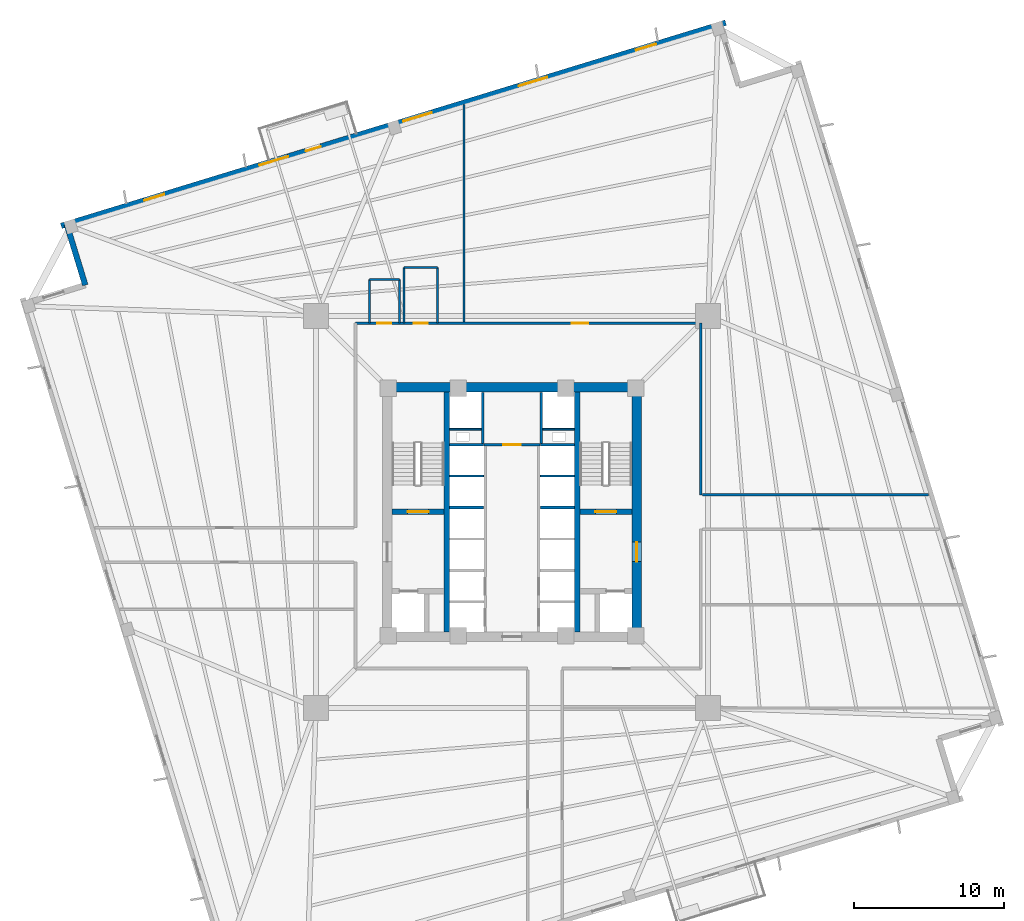
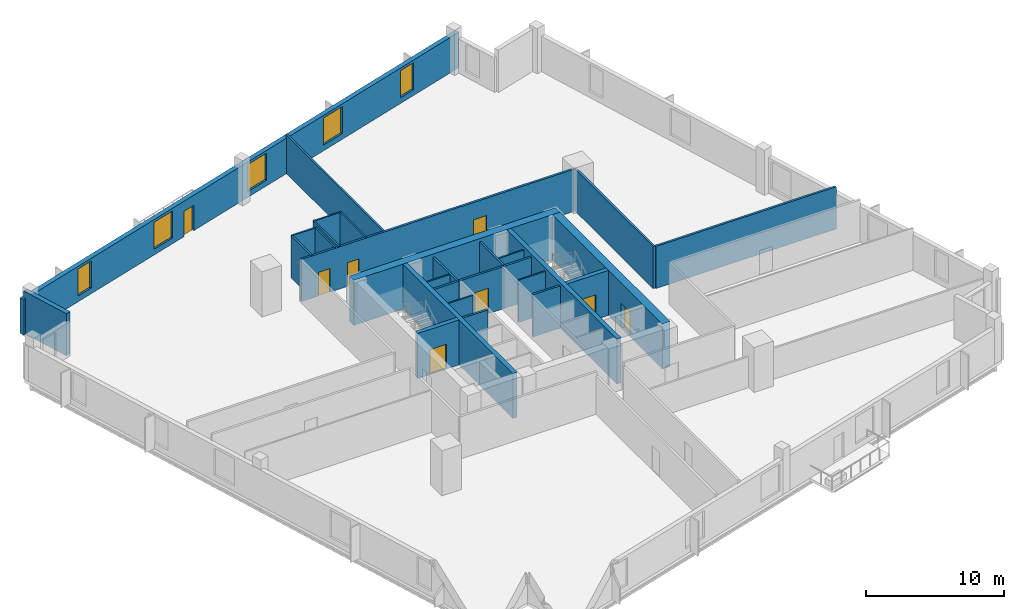
# One storey, part 4 of 8: 29 walls, 8 doors, 5 windows, 13 openings.
"""IFC4 building model written with IfcOpenShell, lengths in metres."""

from ifc_helpers import new_model, si_unit, direction, frame, frame_2d, origin, place, context, subcontext, project, spatial, rectangle, extrude, source, transform, mapped, material, layer, layer_set, type_object, element, fill, save


model = new_model("IFC4")

# Units and contexts
model_context = context("Model", 3, precision=1e-05, world=origin(), true_north=direction((0.0, 1.0)))
body_context = subcontext(model_context, "Body", "Model", "MODEL_VIEW")
ifc_project = project(units=[si_unit("LENGTHUNIT", "METRE"), si_unit("AREAUNIT", "SQUARE_METRE"), si_unit("VOLUMEUNIT", "CUBIC_METRE"), si_unit("PLANEANGLEUNIT", "RADIAN"), si_unit("MASSUNIT", "GRAM", prefix="KILO"), si_unit("THERMODYNAMICTEMPERATUREUNIT", "KELVIN")], contexts=[model_context])

# Site, building, storey
site_placement = place(None, origin())
site = spatial("IfcSite", under=ifc_project, at=site_placement, CompositionType="ELEMENT")
building_placement = place(site_placement, origin())
building = spatial("IfcBuilding", under=site, at=building_placement, Name="Kosmvard Interchange Tower", CompositionType="ELEMENT")
storey_placement = place(building_placement, frame((0.0, 0.0, 99.199951171875)))
storey = spatial("IfcBuildingStorey", under=building, at=storey_placement, Name="L23", CompositionType="ELEMENT", Elevation=99.199951171875)

# Walls
ifc_material_1 = material(Name="Acoustic gypsum partition system")
ifc_layer_1 = layer(ifc_material_1, 0.14990234375, Name="Acoustic gypsum partition system")
ifc_layer_set_1 = layer_set([ifc_layer_1], Name="Acoustic gypsum partition system")
wall_type_1 = type_object("IfcWallType", Name="Acoustic Suite & Meeting Partition 150", PredefinedType="PARTITIONING", material=ifc_layer_set_1)
wall_1_placement = place(storey_placement, frame((-3.199951171875, 12.695068359375, 0.0), z_axis=(0.0, 0.0, 1.0), x_axis=(0.0, 1.0, 0.0)))
element("IfcWall", 1, at=wall_1_placement, inside=storey, type_object=wall_type_1, Name="L23 Room Partition 01.1", PredefinedType="PARTITIONING", context=body_context, shape_type="SweptSolid", body=[
    extrude(rectangle(XDim=14.4921875, YDim=0.14990234375, at=frame_2d((7.24609375, 0.0))), origin(), (0.0, 0.0, 1.0), 3.41015625),
])
ifc_material_2 = material(Name="Fire-rated gypsum partition system")
ifc_layer_2 = layer(ifc_material_2, 0.159912109375, Name="Fire-rated gypsum partition system")
ifc_layer_set_2 = layer_set([ifc_layer_2], Name="Fire-rated gypsum partition system")
wall_type_2 = type_object("IfcWallType", Name="Core Compartment & Shuttle Lobby Partition 160", PredefinedType="PARTITIONING", material=ifc_layer_set_2)
for number, where, z_axis, x_axis, name in (
    (2, (-1.9599609375, 4.580078125, 0.0), (0.0, 0.0, 1.0), (0.0, 1.0, 0.0), "L23 North Core West Wall"),
    (3, (1.9599609375, 4.580078125, 0.0), (0.0, 0.0, 1.0), (0.0, 1.0, 0.0), "L23 North Core East Wall"),
):
    element("IfcWall", number, at=place(storey_placement, frame(where, z_axis=z_axis, x_axis=x_axis)), inside=storey, type_object=wall_type_2, Name=name, PredefinedType="PARTITIONING", context=body_context, shape_type="SweptSolid", body=[
        extrude(rectangle(XDim=3.39990234375, YDim=0.159912109375, at=frame_2d((1.699951171875, 0.0))), origin(), (0.0, 0.0, 1.0), 3.739990234375),
    ])

# Wall, opening, door
ifc_layer_3 = layer(ifc_material_2, 0.179931640625, Name="Fire-rated gypsum partition system")
ifc_layer_set_3 = layer_set([ifc_layer_3], Name="Fire-rated gypsum partition system")
wall_type_3 = type_object("IfcWallType", Name="Corridor & Hotel Compartment Partition 180", PredefinedType="PARTITIONING", material=ifc_layer_set_3)
wall_2_placement = place(storey_placement, frame((-1.8798828125, 4.489990234375, 0.0), z_axis=(0.0, 0.0, 1.0), x_axis=(1.0, 0.0, 0.0)))
wall_2 = element("IfcWall", 4, at=wall_2_placement, inside=storey, type_object=wall_type_3, Name="L23 Lift Lobby North Partition", PredefinedType="PARTITIONING", context=body_context, shape_type="SweptSolid", body=[
    extrude(rectangle(XDim=3.759765625, YDim=0.179931640625, at=frame_2d((1.8798828125, 0.0))), origin(), (0.0, 0.0, 1.0), 3.739990234375),
])
opening_1_placement = place(wall_2_placement, frame((1.304931640625, 0.0, 0.0)))
opening_1 = element("IfcOpeningElement", 5, at=opening_1_placement, cuts=wall_2, Name="Opening L23-KD1", PredefinedType="OPENING", context=body_context, shape_type="SweptSolid", body=[
    extrude(rectangle(XDim=1.14990234375, YDim=2.25, at=frame_2d((0.574951171875, 1.125))), frame((0.0, 0.10009765625, 0.0), z_axis=(0.0, -1.0, 0.0), x_axis=(1.0, 0.0, 0.0)), (0.0, 0.0, 1.0), 0.199951171875),
])
ifc_material_3 = material(Name="Painted fire-rated steel leaf", Category="steel")
door_type_1 = type_object("IfcDoorType", Name="Plant & Riser Fire Door 1150x2250 EI60", OperationType="NOTDEFINED", PredefinedType="DOOR", material=ifc_material_3)
shared_shape_1 = source(origin(), body_context, "Body", "SweptSolid", [
    extrude(rectangle(XDim=1.14990234375, YDim=2.25, at=frame_2d((0.574951171875, 1.125))), frame((0.0, 0.02490234375, 0.0), z_axis=(0.0, -1.0, 0.0), x_axis=(1.0, 0.0, 0.0)), (0.0, 0.0, 1.0), 0.050048828125),
])
door_1_placement = place(opening_1_placement, origin())
door_1 = element("IfcDoor", 6, at=door_1_placement, inside=storey, type_object=door_type_1, Name="L23 Core IT Room Door", OperationType="SINGLE_SWING_LEFT", OverallHeight=2.25, OverallWidth=1.14990234375, PredefinedType="DOOR", context=body_context, shape_type="MappedRepresentation", body=[
    mapped(shared_shape_1, transform((0.0, 0.0, 0.0), scale=1.0)),
])
fill(opening_1, door_1)

# Wall, openings, doors
wall_3_placement = place(storey_placement, frame((-10.449951171875, 12.60009765625, 0.0), z_axis=(0.0, 0.0, 1.0), x_axis=(1.0, 0.0, 0.0)))
wall_3 = element("IfcWall", 7, at=wall_3_placement, inside=storey, type_object=wall_type_3, Name="L23 Corridor Wall CN", PredefinedType="PARTITIONING", context=body_context, shape_type="SweptSolid", body=[
    extrude(rectangle(XDim=23.050048828125, YDim=0.179931640625, at=frame_2d((11.52490234375, 0.0))), origin(), (0.0, 0.0, 1.0), 3.739990234375),
])
opening_2_placement = place(wall_3_placement, frame((1.455078125, 0.0, 0.0)))
opening_2 = element("IfcOpeningElement", 8, at=opening_2_placement, cuts=wall_3, Name="Opening L23-D01", PredefinedType="OPENING", context=body_context, shape_type="SweptSolid", body=[
    extrude(rectangle(XDim=0.949951171875, YDim=2.10009765625, at=frame_2d((0.47509765625, 1.050048828125))), frame((0.0, 0.10009765625, 0.0), z_axis=(0.0, -1.0, 0.0), x_axis=(1.0, 0.0, 0.0)), (0.0, 0.0, 1.0), 0.199951171875),
])
opening_3_placement = place(wall_3_placement, frame((3.879150390625, 0.0, 0.0)))
opening_3 = element("IfcOpeningElement", 9, at=opening_3_placement, cuts=wall_3, Name="Opening L23-D02", PredefinedType="OPENING", context=body_context, shape_type="SweptSolid", body=[
    extrude(rectangle(XDim=0.949951171875, YDim=2.10009765625, at=frame_2d((0.47509765625, 1.050048828125))), frame((0.0, 0.10009765625, 0.0), z_axis=(0.0, -1.0, 0.0), x_axis=(1.0, 0.0, 0.0)), (0.0, 0.0, 1.0), 0.199951171875),
])
opening_4_placement = place(wall_3_placement, frame((14.435546875, 0.0, 0.0)))
opening_4 = element("IfcOpeningElement", 10, at=opening_4_placement, cuts=wall_3, Name="Opening L23-D04", PredefinedType="OPENING", context=body_context, shape_type="SweptSolid", body=[
    extrude(rectangle(XDim=1.10009765625, YDim=2.199951171875, at=frame_2d((0.550048828125, 1.10009765625))), frame((0.0, 0.10009765625, 0.0), z_axis=(0.0, -1.0, 0.0), x_axis=(1.0, 0.0, 0.0)), (0.0, 0.0, 1.0), 0.199951171875),
])
ifc_material_4 = material(Name="Laminated moisture-resistant timber", Category="wood")
door_type_2 = type_object("IfcDoorType", Name="Accessible Washroom Door 950x2100", OperationType="NOTDEFINED", PredefinedType="DOOR", material=ifc_material_4)
shared_shape_2 = source(origin(), body_context, "Body", "SweptSolid", [
    extrude(rectangle(XDim=0.949951171875, YDim=2.10009765625, at=frame_2d((0.47509765625, 1.050048828125))), frame((0.0, 0.02490234375, 0.0), z_axis=(0.0, -1.0, 0.0), x_axis=(1.0, 0.0, 0.0)), (0.0, 0.0, 1.0), 0.050048828125),
])
door_2_placement = place(opening_2_placement, origin())
door_2 = element("IfcDoor", 11, at=door_2_placement, inside=storey, type_object=door_type_2, Name="L23 Accessible Toilet Door", OperationType="SINGLE_SWING_LEFT", OverallHeight=2.10009765625, OverallWidth=0.949951171875, PredefinedType="DOOR", context=body_context, shape_type="MappedRepresentation", body=[
    mapped(shared_shape_2, transform((0.0, 0.0, 0.0), scale=1.0)),
])
fill(opening_2, door_2)
door_3_placement = place(opening_3_placement, origin())
door_3 = element("IfcDoor", 12, at=door_3_placement, inside=storey, type_object=door_type_2, Name="L23 Public Floor Washroom Door", OperationType="SINGLE_SWING_RIGHT", OverallHeight=2.10009765625, OverallWidth=0.949951171875, PredefinedType="DOOR", context=body_context, shape_type="MappedRepresentation", body=[
    mapped(shared_shape_2, transform((0.0, 0.0, 0.0), scale=1.0)),
])
fill(opening_3, door_3)
ifc_material_5 = material(Name="Engineered oak fire-rated timber", Category="wood")
door_type_3 = type_object("IfcDoorType", Name="Office Suite Entrance Door 1100x2200 FD30S", OperationType="NOTDEFINED", PredefinedType="DOOR", material=ifc_material_5)
shared_shape_3 = source(origin(), body_context, "Body", "SweptSolid", [
    extrude(rectangle(XDim=1.10009765625, YDim=2.199951171875, at=frame_2d((0.550048828125, 1.10009765625))), frame((0.0, 0.02490234375, 0.0), z_axis=(0.0, -1.0, 0.0), x_axis=(1.0, 0.0, 0.0)), (0.0, 0.0, 1.0), 0.050048828125),
])
door_4_placement = place(opening_4_placement, origin())
door_4 = element("IfcDoor", 13, at=door_4_placement, inside=storey, type_object=door_type_3, Name="L23 Corporate Media Club Door", OperationType="SINGLE_SWING_RIGHT", OverallHeight=2.199951171875, OverallWidth=1.10009765625, PredefinedType="DOOR", context=body_context, shape_type="MappedRepresentation", body=[
    mapped(shared_shape_3, transform((0.0, 0.0, 0.0), scale=1.0)),
])
fill(opening_4, door_4)

# Walls
wall_4_placement = place(storey_placement, frame((12.60009765625, 1.14990234375, 0.0), z_axis=(0.0, 0.0, 1.0), x_axis=(0.0, 1.0, 0.0)))
element("IfcWall", 14, at=wall_4_placement, inside=storey, type_object=wall_type_3, Name="L23 Corridor Wall CEN", PredefinedType="PARTITIONING", context=body_context, shape_type="SweptSolid", body=[
    extrude(rectangle(XDim=11.4501953125, YDim=0.179931640625, at=frame_2d((5.72509765625, 0.0))), origin(), (0.0, 0.0, 1.0), 3.739990234375),
])
wall_5_placement = place(storey_placement, frame((12.699951171875, 1.14990234375, 0.0), z_axis=(0.0, 0.0, 1.0), x_axis=(1.0, 0.0, 0.0)))
element("IfcWall", 15, at=wall_5_placement, inside=storey, type_object=wall_type_3, Name="L23 Corridor Wall SEN", PredefinedType="PARTITIONING", context=body_context, shape_type="SweptSolid", body=[
    extrude(rectangle(XDim=15.1142578125, YDim=0.179931640625, at=frame_2d((7.55712890625, 0.0))), origin(), (0.0, 0.0, 1.0), 3.739990234375),
])

# Wall, openings, door, windows
ifc_material_6 = material(Name="Precast concrete C45/55", Category="concrete")
ifc_layer_4 = layer(ifc_material_6, 0.3798828125, Name="Precast concrete C45/55")
ifc_layer_set_4 = layer_set([ifc_layer_4], Name="Precast concrete C45/55")
wall_type_4 = type_object("IfcWallType", Name="Lower Tower Precast Pier Wall 380 C45/55", PredefinedType="STANDARD", material=ifc_layer_set_4)
wall_6_placement = place(storey_placement, frame((14.26513671875, 32.65771484375, 0.0), z_axis=(0.0, 0.0, 1.0), x_axis=(-0.956304320851, -0.292373127906, 0.0)))
wall_6 = element("IfcWall", 16, at=wall_6_placement, inside=storey, type_object=wall_type_4, Name="L23 Precast Facade Wall F-N", PredefinedType="STANDARD", context=body_context, shape_type="SweptSolid", body=[
    extrude(rectangle(XDim=46.380126953125, YDim=0.3798828125, at=frame_2d((23.18994140625, 0.0))), origin(), (0.0, 0.0, 1.0), 3.14013671875),
])
opening_5_placement = place(wall_6_placement, frame((28.264892578125, 0.0, 0.0)))
opening_5 = element("IfcOpeningElement", 17, at=opening_5_placement, cuts=wall_6, Name="Opening L23-BDE", PredefinedType="OPENING", context=body_context, shape_type="SweptSolid", body=[
    extrude(rectangle(XDim=1.050048828125, YDim=2.25, at=frame_2d((0.52490234375, 1.125))), frame((0.0, 0.199951171875, 0.0), z_axis=(0.0, -1.0, 0.0), x_axis=(1.0, 0.0, 0.0)), (0.0, 0.0, 1.0), 0.39990234375),
])
opening_6_placement = place(wall_6_placement, frame((4.865478515625, 0.0, 0.510009765625)))
opening_6 = element("IfcOpeningElement", 18, at=opening_6_placement, cuts=wall_6, Name="Opening L23-W11", PredefinedType="OPENING", context=body_context, shape_type="SweptSolid", body=[
    extrude(rectangle(XDim=1.39990234375, YDim=2.39990234375, at=frame_2d((0.699951171875, 1.199951171875))), frame((0.0, 0.199951171875, 0.0), z_axis=(0.0, -1.0, 0.0), x_axis=(1.0, 0.0, 0.0)), (0.0, 0.0, 1.0), 0.39990234375),
])
opening_7_placement = place(wall_6_placement, frame((12.4501953125, 0.0, 0.510009765625)))
opening_7 = element("IfcOpeningElement", 19, at=opening_7_placement, cuts=wall_6, Name="Opening L23-W12", PredefinedType="OPENING", context=body_context, shape_type="SweptSolid", body=[
    extrude(rectangle(XDim=2.0, YDim=2.39990234375, at=frame_2d((1.0, 1.199951171875))), frame((0.0, 0.199951171875, 0.0), z_axis=(0.0, -1.0, 0.0), x_axis=(1.0, 0.0, 0.0)), (0.0, 0.0, 1.0), 0.39990234375),
])
opening_8_placement = place(wall_6_placement, frame((20.512451171875, 0.0, 0.510009765625)))
opening_8 = element("IfcOpeningElement", 20, at=opening_8_placement, cuts=wall_6, Name="Opening L23-W13", PredefinedType="OPENING", context=body_context, shape_type="SweptSolid", body=[
    extrude(rectangle(XDim=2.0, YDim=2.39990234375, at=frame_2d((1.0, 1.199951171875))), frame((0.0, 0.199951171875, 0.0), z_axis=(0.0, -1.0, 0.0), x_axis=(1.0, 0.0, 0.0)), (0.0, 0.0, 1.0), 0.39990234375),
])
opening_9_placement = place(wall_6_placement, frame((30.538330078125, 0.0, 0.510009765625)))
opening_9 = element("IfcOpeningElement", 21, at=opening_9_placement, cuts=wall_6, Name="Opening L23-W14", PredefinedType="OPENING", context=body_context, shape_type="SweptSolid", body=[
    extrude(rectangle(XDim=2.0, YDim=2.39990234375, at=frame_2d((1.0, 1.199951171875))), frame((0.0, 0.199951171875, 0.0), z_axis=(0.0, -1.0, 0.0), x_axis=(1.0, 0.0, 0.0)), (0.0, 0.0, 1.0), 0.39990234375),
])
opening_10_placement = place(wall_6_placement, frame((39.186767578125, 0.0, 0.510009765625)))
opening_10 = element("IfcOpeningElement", 22, at=opening_10_placement, cuts=wall_6, Name="Opening L23-W15", PredefinedType="OPENING", context=body_context, shape_type="SweptSolid", body=[
    extrude(rectangle(XDim=1.39990234375, YDim=2.39990234375, at=frame_2d((0.699951171875, 1.199951171875))), frame((0.0, 0.199951171875, 0.0), z_axis=(0.0, -1.0, 0.0), x_axis=(1.0, 0.0, 0.0)), (0.0, 0.0, 1.0), 0.39990234375),
])
ifc_material_7 = material(Name="Anodised aluminium and safety glass", Category="aluminium")
door_type_4 = type_object("IfcDoorType", Name="Tree-Balcony Glazed Door 1050x2250", OperationType="NOTDEFINED", PredefinedType="DOOR", material=ifc_material_7)
shared_shape_4 = source(origin(), body_context, "Body", "SweptSolid", [
    extrude(rectangle(XDim=1.050048828125, YDim=2.25, at=frame_2d((0.52490234375, 1.125))), frame((0.0, 0.02490234375, 0.0), z_axis=(0.0, -1.0, 0.0), x_axis=(1.0, 0.0, 0.0)), (0.0, 0.0, 1.0), 0.050048828125),
])
door_5_placement = place(opening_5_placement, origin())
door_5 = element("IfcDoor", 23, at=door_5_placement, inside=storey, type_object=door_type_4, Name="L23 Tree-Balcony Door BAL-L23-NE", OperationType="SINGLE_SWING_RIGHT", OverallHeight=2.25, OverallWidth=1.050048828125, PredefinedType="DOOR", context=body_context, shape_type="MappedRepresentation", body=[
    mapped(shared_shape_4, transform((0.0, 0.0, 0.0), scale=1.0)),
])
fill(opening_5, door_5)
ifc_material_8 = material(Name="Low-E solar-control double glazing", Category="glass")
window_type_1 = type_object("IfcWindowType", Name="Notched Corner Feature Window 1400x2400", PartitioningType="SINGLE_PANEL", PredefinedType="WINDOW", material=ifc_material_8)
shared_shape_5 = source(origin(), body_context, "Body", "SweptSolid", [
    extrude(rectangle(XDim=1.39990234375, YDim=2.39990234375, at=frame_2d((0.699951171875, 1.199951171875))), frame((0.0, 0.030029296875, 0.0), z_axis=(0.0, -1.0, 0.0), x_axis=(1.0, 0.0, 0.0)), (0.0, 0.0, 1.0), 0.06005859375),
])
window_1_placement = place(opening_6_placement, origin())
window_1 = element("IfcWindow", 24, at=window_1_placement, inside=storey, type_object=window_type_1, Name="L23 Facade Punched Window 11", OverallHeight=2.39990234375, OverallWidth=1.39990234375, PartitioningType="SINGLE_PANEL", PredefinedType="WINDOW", context=body_context, shape_type="MappedRepresentation", body=[
    mapped(shared_shape_5, transform((0.0, 0.0, 0.0), scale=1.0)),
])
fill(opening_6, window_1)
window_2_placement = place(opening_10_placement, origin())
window_2 = element("IfcWindow", 25, at=window_2_placement, inside=storey, type_object=window_type_1, Name="L23 Facade Punched Window 15", OverallHeight=2.39990234375, OverallWidth=1.39990234375, PartitioningType="SINGLE_PANEL", PredefinedType="WINDOW", context=body_context, shape_type="MappedRepresentation", body=[
    mapped(shared_shape_5, transform((0.0, 0.0, 0.0), scale=1.0)),
])
fill(opening_10, window_2)
window_type_2 = type_object("IfcWindowType", Name="Zone 2 Office Punched Window 2000x2400", PartitioningType="SINGLE_PANEL", PredefinedType="WINDOW", material=ifc_material_8)
shared_shape_6 = source(origin(), body_context, "Body", "SweptSolid", [
    extrude(rectangle(XDim=2.0, YDim=2.39990234375, at=frame_2d((1.0, 1.199951171875))), frame((0.0, 0.030029296875, 0.0), z_axis=(0.0, -1.0, 0.0), x_axis=(1.0, 0.0, 0.0)), (0.0, 0.0, 1.0), 0.06005859375),
])
window_3_placement = place(opening_7_placement, origin())
window_3 = element("IfcWindow", 26, at=window_3_placement, inside=storey, type_object=window_type_2, Name="L23 Facade Punched Window 12", OverallHeight=2.39990234375, OverallWidth=2.0, PartitioningType="SINGLE_PANEL", PredefinedType="WINDOW", context=body_context, shape_type="MappedRepresentation", body=[
    mapped(shared_shape_6, transform((0.0, 0.0, 0.0), scale=1.0)),
])
fill(opening_7, window_3)
window_4_placement = place(opening_8_placement, origin())
window_4 = element("IfcWindow", 27, at=window_4_placement, inside=storey, type_object=window_type_2, Name="L23 Facade Punched Window 13", OverallHeight=2.39990234375, OverallWidth=2.0, PartitioningType="SINGLE_PANEL", PredefinedType="WINDOW", context=body_context, shape_type="MappedRepresentation", body=[
    mapped(shared_shape_6, transform((0.0, 0.0, 0.0), scale=1.0)),
])
fill(opening_8, window_4)
window_5_placement = place(opening_9_placement, origin())
window_5 = element("IfcWindow", 28, at=window_5_placement, inside=storey, type_object=window_type_2, Name="L23 Facade Punched Window 14", OverallHeight=2.39990234375, OverallWidth=2.0, PartitioningType="SINGLE_PANEL", PredefinedType="WINDOW", context=body_context, shape_type="MappedRepresentation", body=[
    mapped(shared_shape_6, transform((0.0, 0.0, 0.0), scale=1.0)),
])
fill(opening_9, window_5)

# Walls
wall_7_placement = place(storey_placement, frame((-29.724853515625, 19.20849609375, 0.0), z_axis=(0.0, 0.0, 1.0), x_axis=(0.292345507338, -0.956312764915, 0.0)))
element("IfcWall", 29, at=wall_7_placement, inside=storey, type_object=wall_type_4, Name="L23 Precast Facade Wall N-NW1", PredefinedType="STANDARD", context=body_context, shape_type="SweptSolid", body=[
    extrude(rectangle(XDim=4.249755859375, YDim=0.3798828125, at=frame_2d((2.125, 0.0))), origin(), (0.0, 0.0, 1.0), 3.739990234375),
])
ifc_material_9 = material(Name="Concrete C70/85", Category="concrete")
ifc_layer_5 = layer(ifc_material_9, 0.64990234375, Name="Concrete C70/85")
ifc_layer_set_5 = layer_set([ifc_layer_5], Name="Concrete C70/85")
wall_type_5 = type_object("IfcWallType", Name="Mid Core Shear Wall 650 C70/85", PredefinedType="SHEAR", material=ifc_layer_set_5)
wall_8_placement = place(storey_placement, frame((-8.64990234375, 8.324951171875, 0.0), z_axis=(0.0, 0.0, 1.0), x_axis=(1.0, 0.0, 0.0)))
element("IfcWall", 30, at=wall_8_placement, inside=storey, type_object=wall_type_5, Name="L23 Core Shear Wall CW-N", PredefinedType="SHEAR", context=body_context, shape_type="SweptSolid", body=[
    extrude(rectangle(XDim=17.2998046875, YDim=0.64990234375, at=frame_2d((8.64990234375, 0.0))), origin(), (0.0, 0.0, 1.0), 4.0),
])

# Wall, opening, door
wall_9_placement = place(storey_placement, frame((8.324951171875, -8.0, 0.0), z_axis=(0.0, 0.0, 1.0), x_axis=(0.0, 1.0, 0.0)))
wall_9 = element("IfcWall", 31, at=wall_9_placement, inside=storey, type_object=wall_type_5, Name="L23 Core Shear Wall CW-E", PredefinedType="SHEAR", context=body_context, shape_type="SweptSolid", body=[
    extrude(rectangle(XDim=16.0, YDim=0.64990234375, at=frame_2d((8.0, 0.0))), origin(), (0.0, 0.0, 1.0), 4.0),
])
opening_11_placement = place(wall_9_placement, frame((4.68994140625, 0.0, 0.0)))
opening_11 = element("IfcOpeningElement", 32, at=opening_11_placement, cuts=wall_9, Name="Opening L23-FD2", PredefinedType="OPENING", context=body_context, shape_type="SweptSolid", body=[
    extrude(rectangle(XDim=1.300048828125, YDim=2.199951171875, at=frame_2d((0.64990234375, 1.10009765625))), frame((0.0, 0.3349609375, 0.0), z_axis=(0.0, -1.0, 0.0), x_axis=(1.0, 0.0, 0.0)), (0.0, 0.0, 1.0), 0.669921875),
])
door_type_5 = type_object("IfcDoorType", Name="Firefighting Lobby Door 1300x2200 EI60", OperationType="NOTDEFINED", PredefinedType="DOOR", material=ifc_material_3)
shared_shape_7 = source(origin(), body_context, "Body", "SweptSolid", [
    extrude(rectangle(XDim=1.300048828125, YDim=2.199951171875, at=frame_2d((0.64990234375, 1.10009765625))), frame((0.0, 0.02490234375, 0.0), z_axis=(0.0, -1.0, 0.0), x_axis=(1.0, 0.0, 0.0)), (0.0, 0.0, 1.0), 0.050048828125),
])
door_6_placement = place(opening_11_placement, origin())
door_6 = element("IfcDoor", 33, at=door_6_placement, inside=storey, type_object=door_type_5, Name="L23 Firefighting Lobby East Door", OperationType="SINGLE_SWING_RIGHT", OverallHeight=2.199951171875, OverallWidth=1.300048828125, PredefinedType="DOOR", context=body_context, shape_type="MappedRepresentation", body=[
    mapped(shared_shape_7, transform((0.0, 0.0, 0.0), scale=1.0)),
])
fill(opening_11, door_6)

# Walls
ifc_material_10 = material(Name="Concrete blockwork masonry", Category="masonry")
ifc_layer_6 = layer(ifc_material_10, 0.179931640625, Name="Concrete blockwork masonry")
ifc_layer_set_6 = layer_set([ifc_layer_6], Name="Concrete blockwork masonry")
wall_type_6 = type_object("IfcWallType", Name="Riser & Lift Bank Divider Wall 180", PredefinedType="PARTITIONING", material=ifc_layer_set_6)
for number, where, z_axis, x_axis, name in (
    (34, (-4.169921875, 0.300048828125, 0.0), (0.0, 0.0, 1.0), (1.0, 0.0, 0.0), "L23 West Bank Divider BD2"),
    (35, (1.889892578125, 0.300048828125, 0.0), (0.0, 0.0, 1.0), (1.0, 0.0, 0.0), "L23 East Bank Divider BD2"),
    (36, (-4.169921875, 4.489990234375, 0.0), (0.0, 0.0, 1.0), (1.0, 0.0, 0.0), "L23 West Bank Divider BD3"),
    (37, (1.889892578125, 4.489990234375, 0.0), (0.0, 0.0, 1.0), (1.0, 0.0, 0.0), "L23 East Bank Divider BD3"),
):
    element("IfcWall", number, at=place(storey_placement, frame(where, z_axis=z_axis, x_axis=x_axis)), inside=storey, type_object=wall_type_6, Name=name, PredefinedType="PARTITIONING", context=body_context, shape_type="SweptSolid", body=[
        extrude(rectangle(XDim=2.280029296875, YDim=0.179931640625, at=frame_2d((1.14013671875, 0.0))), origin(), (0.0, 0.0, 1.0), 3.739990234375),
    ])
ifc_material_11 = material(Name="Fire-rated gypsum shaftwall system")
ifc_layer_7 = layer(ifc_material_11, 0.1201171875, Name="Fire-rated gypsum shaftwall system")
ifc_layer_set_7 = layer_set([ifc_layer_7], Name="Fire-rated gypsum shaftwall system")
wall_type_7 = type_object("IfcWallType", Name="Shaft & Riser Fire Partition 120 EI60", PredefinedType="PARTITIONING", material=ifc_layer_set_7)
for number, where, z_axis, x_axis, name in (
    (38, (-4.159912109375, 2.39990234375, 0.0), (0.0, 0.0, 1.0), (1.0, 0.0, 0.0), "L23 Shaft Divider PL-H1"),
    (39, (1.89990234375, 2.39990234375, 0.0), (0.0, 0.0, 1.0), (1.0, 0.0, 0.0), "L23 Shaft Divider PL-H3"),
):
    element("IfcWall", number, at=place(storey_placement, frame(where, z_axis=z_axis, x_axis=x_axis)), inside=storey, type_object=wall_type_7, Name=name, PredefinedType="PARTITIONING", context=body_context, shape_type="SweptSolid", body=[
        extrude(rectangle(XDim=2.260009765625, YDim=0.1201171875, at=frame_2d((1.1298828125, 0.0))), origin(), (0.0, 0.0, 1.0), 3.739990234375),
    ])
for number, where, z_axis, x_axis, name in (
    (40, (-4.159912109375, 5.52001953125, 0.0), (0.0, 0.0, 1.0), (1.0, 0.0, 0.0), "L23 Riser Shaft Divider W"),
    (41, (2.06005859375, 5.52001953125, 0.0), (0.0, 0.0, 1.0), (1.0, 0.0, 0.0), "L23 Riser Shaft Divider E"),
):
    element("IfcWall", number, at=place(storey_placement, frame(where, z_axis=z_axis, x_axis=x_axis)), inside=storey, type_object=wall_type_7, Name=name, PredefinedType="PARTITIONING", context=body_context, shape_type="SweptSolid", body=[
        extrude(rectangle(XDim=2.099853515625, YDim=0.1201171875, at=frame_2d((1.0498046875, 0.0))), origin(), (0.0, 0.0, 1.0), 3.739990234375),
    ])
ifc_material_12 = material(Name="Concrete C60/75", Category="concrete")
ifc_layer_8 = layer(ifc_material_12, 0.360107421875, Name="Concrete C60/75")
ifc_layer_set_8 = layer_set([ifc_layer_8], Name="Concrete C60/75")
wall_type_8 = type_object("IfcWallType", Name="Stair & Lift Shaft Shear Wall 360 C60/75", PredefinedType="SHEAR", material=ifc_layer_set_8)
for number, where, z_axis, x_axis, name in (
    (42, (-4.360107421875, -8.0, 0.0), (0.0, 0.0, 1.0), (0.0, 1.0, 0.0), "L23 Shaft Shear Wall SW-W"),
    (43, (4.360107421875, -8.0, 0.0), (0.0, 0.0, 1.0), (0.0, 1.0, 0.0), "L23 Shaft Shear Wall SW-E"),
):
    element("IfcWall", number, at=place(storey_placement, frame(where, z_axis=z_axis, x_axis=x_axis)), inside=storey, type_object=wall_type_8, Name=name, PredefinedType="SHEAR", context=body_context, shape_type="SweptSolid", body=[
        extrude(rectangle(XDim=16.0, YDim=0.360107421875, at=frame_2d((8.0, 0.0))), origin(), (0.0, 0.0, 1.0), 4.0),
    ])

# Wall, opening, door
wall_10_placement = place(storey_placement, frame((-8.0, 0.02001953125, 0.0), z_axis=(0.0, 0.0, 1.0), x_axis=(1.0, 0.0, 0.0)))
wall_10 = element("IfcWall", 44, at=wall_10_placement, inside=storey, type_object=wall_type_8, Name="L23 Shaft Shear Wall SW-ST1", PredefinedType="SHEAR", context=body_context, shape_type="SweptSolid", body=[
    extrude(rectangle(XDim=3.4599609375, YDim=0.360107421875, at=frame_2d((1.72998046875, 0.0))), origin(), (0.0, 0.0, 1.0), 4.0),
])
opening_12_placement = place(wall_10_placement, frame((1.030029296875, 0.0, 0.0)))
opening_12 = element("IfcOpeningElement", 45, at=opening_12_placement, cuts=wall_10, Name="Opening L23-SD1", PredefinedType="OPENING", context=body_context, shape_type="SweptSolid", body=[
    extrude(rectangle(XDim=1.39990234375, YDim=2.199951171875, at=frame_2d((0.699951171875, 1.10009765625))), frame((0.0, 0.18994140625, 0.0), z_axis=(0.0, -1.0, 0.0), x_axis=(1.0, 0.0, 0.0)), (0.0, 0.0, 1.0), 0.380126953125),
])
door_type_6 = type_object("IfcDoorType", Name="Protected Stair Door 1400x2200 FD60S", OperationType="NOTDEFINED", PredefinedType="DOOR", material=ifc_material_3)
shared_shape_8 = source(origin(), body_context, "Body", "SweptSolid", [
    extrude(rectangle(XDim=1.39990234375, YDim=2.199951171875, at=frame_2d((0.699951171875, 1.10009765625))), frame((0.0, 0.02490234375, 0.0), z_axis=(0.0, -1.0, 0.0), x_axis=(1.0, 0.0, 0.0)), (0.0, 0.0, 1.0), 0.050048828125),
])
door_7_placement = place(opening_12_placement, origin())
door_7 = element("IfcDoor", 46, at=door_7_placement, inside=storey, type_object=door_type_6, Name="L23 Stair ST-1 Enclosure Door", OperationType="SINGLE_SWING_LEFT", OverallHeight=2.199951171875, OverallWidth=1.39990234375, PredefinedType="DOOR", context=body_context, shape_type="MappedRepresentation", body=[
    mapped(shared_shape_8, transform((0.0, 0.0, 0.0), scale=1.0)),
])
fill(opening_12, door_7)

wall_11_placement = place(storey_placement, frame((4.5400390625, 0.02001953125, 0.0), z_axis=(0.0, 0.0, 1.0), x_axis=(1.0, 0.0, 0.0)))
wall_11 = element("IfcWall", 47, at=wall_11_placement, inside=storey, type_object=wall_type_8, Name="L23 Shaft Shear Wall SW-ST2", PredefinedType="SHEAR", context=body_context, shape_type="SweptSolid", body=[
    extrude(rectangle(XDim=3.4599609375, YDim=0.360107421875, at=frame_2d((1.72998046875, 0.0))), origin(), (0.0, 0.0, 1.0), 4.0),
])
opening_13_placement = place(wall_11_placement, frame((1.030029296875, 0.0, 0.0)))
opening_13 = element("IfcOpeningElement", 48, at=opening_13_placement, cuts=wall_11, Name="Opening L23-SD2", PredefinedType="OPENING", context=body_context, shape_type="SweptSolid", body=[
    extrude(rectangle(XDim=1.39990234375, YDim=2.199951171875, at=frame_2d((0.699951171875, 1.10009765625))), frame((0.0, 0.18994140625, 0.0), z_axis=(0.0, -1.0, 0.0), x_axis=(1.0, 0.0, 0.0)), (0.0, 0.0, 1.0), 0.380126953125),
])
door_8_placement = place(opening_13_placement, origin())
door_8 = element("IfcDoor", 49, at=door_8_placement, inside=storey, type_object=door_type_6, Name="L23 Stair ST-2 Enclosure Door", OperationType="SINGLE_SWING_RIGHT", OverallHeight=2.199951171875, OverallWidth=1.39990234375, PredefinedType="DOOR", context=body_context, shape_type="MappedRepresentation", body=[
    mapped(shared_shape_8, transform((0.0, 0.0, 0.0), scale=1.0)),
])
fill(opening_13, door_8)

# Walls
ifc_material_13 = material(Name="Moisture-resistant gypsum partition")
ifc_layer_9 = layer(ifc_material_13, 0.135009765625, Name="Moisture-resistant gypsum partition")
ifc_layer_set_9 = layer_set([ifc_layer_9], Name="Moisture-resistant gypsum partition")
wall_type_9 = type_object("IfcWallType", Name="Wet Room Moisture-Resistant Partition 135", PredefinedType="PARTITIONING", material=ifc_layer_set_9)
wall_12_placement = place(storey_placement, frame((-7.52001953125, 12.6201171875, 0.0), z_axis=(0.0, 0.0, 1.0), x_axis=(0.0, 1.0, 0.0)))
element("IfcWall", 50, at=wall_12_placement, inside=storey, type_object=wall_type_9, Name="L23 Washroom Partition AWC1-E", PredefinedType="PARTITIONING", context=body_context, shape_type="SweptSolid", body=[
    extrude(rectangle(XDim=2.89990234375, YDim=0.135009765625, at=frame_2d((1.449951171875, 0.0))), origin(), (0.0, 0.0, 1.0), 3.739990234375),
])
wall_13_placement = place(storey_placement, frame((-9.52001953125, 15.52001953125, 0.0), z_axis=(0.0, 0.0, 1.0), x_axis=(1.0, 0.0, 0.0)))
element("IfcWall", 51, at=wall_13_placement, inside=storey, type_object=wall_type_9, Name="L23 Washroom Partition AWC1-N", PredefinedType="PARTITIONING", context=body_context, shape_type="SweptSolid", body=[
    extrude(rectangle(XDim=2.0, YDim=0.135009765625, at=frame_2d((1.0, 0.0))), origin(), (0.0, 0.0, 1.0), 3.739990234375),
])
wall_14_placement = place(storey_placement, frame((-9.52001953125, 12.6201171875, 0.0), z_axis=(0.0, 0.0, 1.0), x_axis=(0.0, 1.0, 0.0)))
element("IfcWall", 52, at=wall_14_placement, inside=storey, type_object=wall_type_9, Name="L23 Washroom Partition AWC1-W", PredefinedType="PARTITIONING", context=body_context, shape_type="SweptSolid", body=[
    extrude(rectangle(XDim=2.89990234375, YDim=0.135009765625, at=frame_2d((1.449951171875, 0.0))), origin(), (0.0, 0.0, 1.0), 3.739990234375),
])
wall_15_placement = place(storey_placement, frame((-4.970947265625, 12.6201171875, 0.0), z_axis=(0.0, 0.0, 1.0), x_axis=(0.0, 1.0, 0.0)))
element("IfcWall", 53, at=wall_15_placement, inside=storey, type_object=wall_type_9, Name="L23 Washroom Partition WC1-E", PredefinedType="PARTITIONING", context=body_context, shape_type="SweptSolid", body=[
    extrude(rectangle(XDim=3.699951171875, YDim=0.135009765625, at=frame_2d((1.85009765625, 0.0))), origin(), (0.0, 0.0, 1.0), 3.739990234375),
])
wall_16_placement = place(storey_placement, frame((-7.220947265625, 16.320068359375, 0.0), z_axis=(0.0, 0.0, 1.0), x_axis=(1.0, 0.0, 0.0)))
element("IfcWall", 54, at=wall_16_placement, inside=storey, type_object=wall_type_9, Name="L23 Washroom Partition WC1-N", PredefinedType="PARTITIONING", context=body_context, shape_type="SweptSolid", body=[
    extrude(rectangle(XDim=2.25, YDim=0.135009765625, at=frame_2d((1.125, 0.0))), origin(), (0.0, 0.0, 1.0), 3.739990234375),
])
wall_17_placement = place(storey_placement, frame((-7.220947265625, 12.6201171875, 0.0), z_axis=(0.0, 0.0, 1.0), x_axis=(0.0, 1.0, 0.0)))
element("IfcWall", 55, at=wall_17_placement, inside=storey, type_object=wall_type_9, Name="L23 Washroom Partition WC1-W", PredefinedType="PARTITIONING", context=body_context, shape_type="SweptSolid", body=[
    extrude(rectangle(XDim=3.699951171875, YDim=0.135009765625, at=frame_2d((1.85009765625, 0.0))), origin(), (0.0, 0.0, 1.0), 3.739990234375),
])

save(model, "model.ifc")
